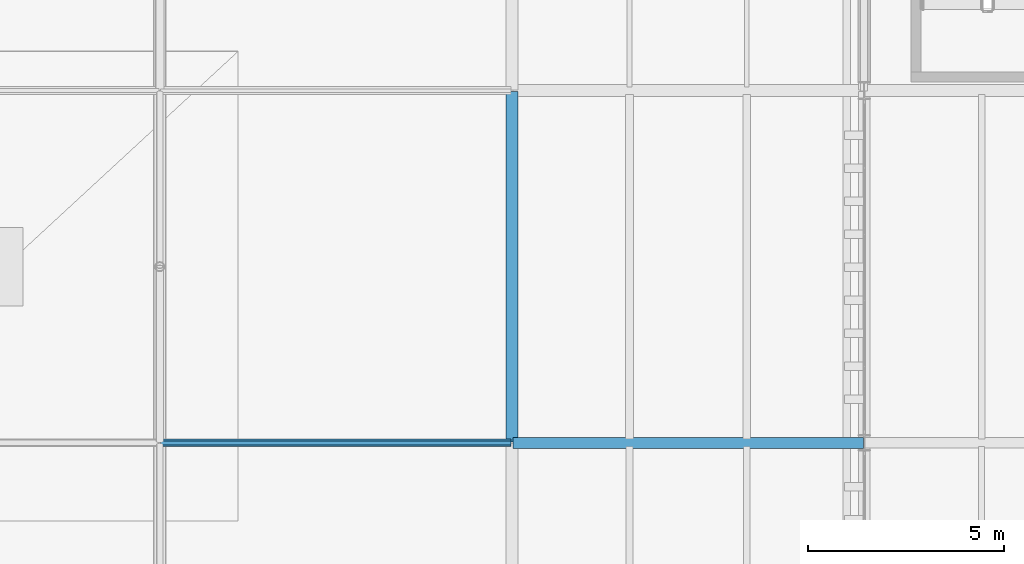
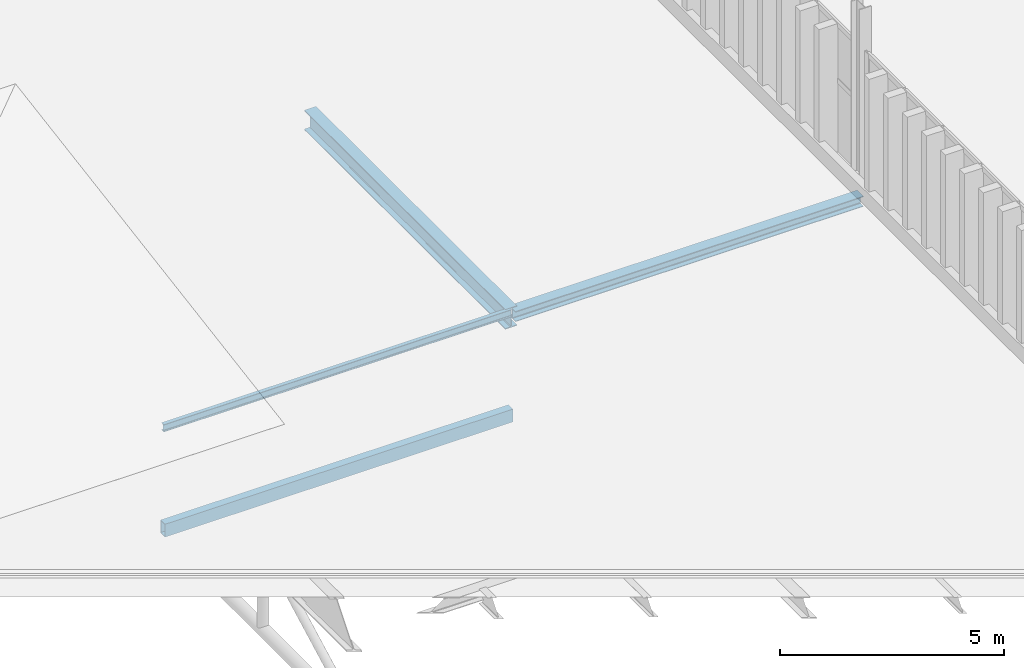
# One storey, part 82 of 196: 2 beams, 2 members.
"""IFC4 building model written with IfcOpenShell, lengths in metres."""

import ifcopenshell
import ifcopenshell.guid

model = None  # the IFC model being written
_history = None  # IfcOwnerHistory: only IFC2X3 demands one
_inside = {}  # id of a spatial element -> (the spatial element, [elements in it])
_under = {}  # id of a project, library or spatial element -> (it, [spatial elements below it])
_declared = {}  # id of a project -> (the project, [libraries it declares])
_typed = {}  # id of a type object -> (the type object, [elements of that type])
_made_of = {}  # id of a material, layer set ... -> (it, [elements and type objects made of it])


def new_model(schema):
    """Start an empty IFC model of exactly this schema.

    Asked for "IFC4X3", IfcOpenShell would pick the latest addendum, in which some entities
    have other attributes; the version numbers below select the first issue.
    IFC2X3 requires an IfcOwnerHistory on every rooted entity: one is made here for all.
    """
    global model, _history
    if schema == "IFC4X3":
        model = ifcopenshell.file(schema_version=(4, 3, 0, 0))
    else:
        model = ifcopenshell.file(schema=schema)
    _inside.clear()
    _under.clear()
    _declared.clear()
    _typed.clear()
    _made_of.clear()
    _history = None
    if model.schema == "IFC2X3":
        org = make("IfcOrganization", Name="unknown")
        user = make(
            "IfcPersonAndOrganization",
            ThePerson=make("IfcPerson", FamilyName="unknown"),
            TheOrganization=org,
        )
        app = make(
            "IfcApplication",
            ApplicationDeveloper=org,
            Version="unknown",
            ApplicationFullName="unknown",
            ApplicationIdentifier="unknown",
        )
        _history = make(
            "IfcOwnerHistory",
            OwningUser=user,
            OwningApplication=app,
            ChangeAction="ADDED",
            CreationDate=0,
        )
    return model


def make(cls, **values):
    """One entity of the class cls with the attributes given. An attribute that is None is left unset."""
    return model.create_entity(
        cls, **{name: value for name, value in values.items() if value is not None}
    )


def rooted(cls, **values):
    """An entity with a GlobalId (a new one), such as an element, a storey or a relation."""
    return make(cls, GlobalId=ifcopenshell.guid.new(), OwnerHistory=_history, **values)


def si_unit(unit_type, name, prefix=None):
    """IfcSIUnit, for example si_unit("LENGTHUNIT", "METRE", prefix="MILLI")."""
    return make("IfcSIUnit", UnitType=unit_type, Prefix=prefix, Name=name)


def assignment(units):
    """IfcUnitAssignment: the units of a project."""
    return None if units is None else make("IfcUnitAssignment", Units=units)


def point(xyz):
    """IfcCartesianPoint."""
    return None if xyz is None else make("IfcCartesianPoint", Coordinates=xyz)


def direction(xyz):
    """IfcDirection."""
    return None if xyz is None else make("IfcDirection", DirectionRatios=xyz)


def frame(location, z_axis=None, x_axis=None):
    """IfcAxis2Placement3D, a coordinate frame: its origin and axes. An axis left out is left unset."""
    return make(
        "IfcAxis2Placement3D",
        Location=point(location),
        Axis=direction(z_axis),
        RefDirection=direction(x_axis),
    )


def frame_2d(location, x_axis=None):
    """IfcAxis2Placement2D, a coordinate frame in the plane: its origin and x axis."""
    return make(
        "IfcAxis2Placement2D", Location=point(location), RefDirection=direction(x_axis)
    )


def origin():
    """The frame at (0, 0, 0) with its axes left unset."""
    return frame((0.0, 0.0, 0.0))


def origin_2d():
    """The frame at (0, 0) in the plane with its x axis left unset."""
    return frame_2d((0.0, 0.0))


def place(relative_to, where):
    """IfcLocalPlacement: puts the frame where relative to a parent placement (None: the world)."""
    return make(
        "IfcLocalPlacement", PlacementRelTo=relative_to, RelativePlacement=where
    )


def context(
    kind, dimensions, precision=None, world=None, true_north=None, identifier=None
):
    """IfcGeometricRepresentationContext, for example the 3D "Model" context."""
    return make(
        "IfcGeometricRepresentationContext",
        ContextIdentifier=identifier,
        ContextType=kind,
        CoordinateSpaceDimension=dimensions,
        Precision=precision,
        WorldCoordinateSystem=world,
        TrueNorth=true_north,
    )


def subcontext(parent, identifier, kind, view, scale=None):
    """IfcGeometricRepresentationSubContext, for example "Body" below "Model"."""
    return make(
        "IfcGeometricRepresentationSubContext",
        ContextIdentifier=identifier,
        ContextType=kind,
        ParentContext=parent,
        TargetScale=scale,
        TargetView=view,
    )


def project(units=None, contexts=None):
    """IfcProject with its units and contexts."""
    return rooted(
        "IfcProject",
        Name="project",
        RepresentationContexts=contexts,
        UnitsInContext=assignment(units),
    )


def spatial(cls, under=None, at=None, **own):
    """A site, building, storey or space (cls), placed at a placement, below another one or the project."""
    s = rooted(cls, ObjectPlacement=at, **own)
    if under is not None:
        _under.setdefault(under.id(), (under, []))[1].append(s)
    return s


def profile(cls, at=None, kind="AREA", **sizes):
    """A parametric profile (cls). Its sizes go by their IFC names, for example OverallWidth=200.0."""
    return make(cls, ProfileType=kind, Position=at, **sizes)


def hollow_rectangle(**sizes):
    """IfcRectangleHollowProfileDef."""
    return profile("IfcRectangleHollowProfileDef", **sizes)


def i_section(**sizes):
    """IfcIShapeProfileDef."""
    return profile("IfcIShapeProfileDef", **sizes)


def extrude(swept, where, along, depth):
    """IfcExtrudedAreaSolid: the profile swept, set in the frame where, extruded along a direction by depth."""
    return make(
        "IfcExtrudedAreaSolid",
        SweptArea=swept,
        Position=where,
        ExtrudedDirection=direction(along),
        Depth=depth,
    )


def shape(context_of_items, identifier, shape_type, items):
    """IfcShapeRepresentation: the items that make up one representation, for example the "Body"."""
    return make(
        "IfcShapeRepresentation",
        ContextOfItems=context_of_items,
        RepresentationIdentifier=identifier,
        RepresentationType=shape_type,
        Items=items,
    )


def material(Name=None, Category=None):
    """IfcMaterial."""
    return make("IfcMaterial", Name=Name, Category=Category)


def material_profile(
    of_material, cross_section, Name=None, Category=None, Priority=None
):
    """IfcMaterialProfile: a cross section and its material."""
    return make(
        "IfcMaterialProfile",
        Name=Name,
        Material=of_material,
        Profile=cross_section,
        Priority=Priority,
        Category=Category,
    )


def profile_set(profiles, Name=None, composite=None):
    """IfcMaterialProfileSet."""
    return make(
        "IfcMaterialProfileSet",
        Name=Name,
        MaterialProfiles=profiles,
        CompositeProfile=composite,
    )


def made_of(thing, what):
    """Note that an element or type object is made of a material, layer set ...; save() writes the relation."""
    if what is not None:
        _made_of.setdefault(what.id(), (what, []))[1].append(thing)
    return thing


def type_object(cls, material=None, **own):
    """A type object (cls), such as IfcWallType, which elements share."""
    return made_of(rooted(cls, **own), material)


def element(
    cls,
    number,
    at=None,
    inside=None,
    cuts=None,
    type_object=None,
    material=None,
    context=None,
    identifier="Body",
    shape_type=None,
    held_by="IfcProductDefinitionShape",
    body=None,
    shapes=None,
    **own,
):
    """One element of the class cls, such as IfcWall. Its Tag is "e" and its number.

    at: its placement. inside: the storey or other place that contains it. cuts: it is an
    opening in that element (IfcRelVoidsElement). A single representation is given by context,
    identifier, shape_type and body (its items); several are given by shapes. held_by: the class
    of the entity that holds the representations. save() writes the other relations.
    """
    e = rooted(cls, Tag="e%d" % number, ObjectPlacement=at, **own)
    if body is not None:
        shapes = [shape(context, identifier, shape_type, body)]
    if shapes is not None:
        e.Representation = make(held_by, Representations=shapes)
    if inside is not None:
        _inside.setdefault(inside.id(), (inside, []))[1].append(e)
    if cuts is not None:
        rooted(
            "IfcRelVoidsElement", RelatingBuildingElement=cuts, RelatedOpeningElement=e
        )
    if type_object is not None:
        _typed.setdefault(type_object.id(), (type_object, []))[1].append(e)
    return made_of(e, material)


def aggregate(whole, parts):
    """IfcRelAggregates: a whole, such as a stair, and the parts it consists of."""
    return rooted("IfcRelAggregates", RelatingObject=whole, RelatedObjects=parts)


def save(model, path):
    """Write the relations noted so far, then the file.

    IfcRelAggregates (storeys below a building ...), IfcRelContainedInSpatialStructure (elements
    in a storey), IfcRelDefinesByType, IfcRelAssociatesMaterial and IfcRelDeclares: one each for
    every whole, place, type object, material and project.
    """
    for whole, parts in _under.values():
        aggregate(whole, parts)
    for where, things in _inside.values():
        rooted(
            "IfcRelContainedInSpatialStructure",
            RelatedElements=things,
            RelatingStructure=where,
        )
    for kind, things in _typed.values():
        rooted("IfcRelDefinesByType", RelatedObjects=things, RelatingType=kind)
    for what, things in _made_of.values():
        rooted("IfcRelAssociatesMaterial", RelatedObjects=things, RelatingMaterial=what)
    for by, libraries in _declared.values():
        rooted("IfcRelDeclares", RelatingContext=by, RelatedDefinitions=libraries)
    model.write(path)


model = new_model("IFC4")

# Units and contexts
model_context = context("Model", 3, precision=1e-05, world=origin(), true_north=direction((0.0, 1.0)))
body_context = subcontext(model_context, "Body", "Model", "MODEL_VIEW")
ifc_project = project(units=[si_unit("LENGTHUNIT", "METRE"), si_unit("AREAUNIT", "SQUARE_METRE"), si_unit("VOLUMEUNIT", "CUBIC_METRE"), si_unit("PLANEANGLEUNIT", "RADIAN"), si_unit("MASSUNIT", "GRAM", prefix="KILO")], contexts=[model_context])

# Site, building, storey
site_placement = place(None, origin())
site = spatial("IfcSite", under=ifc_project, at=site_placement, CompositionType="ELEMENT")
building_placement = place(site_placement, origin())
building = spatial("IfcBuilding", under=site, at=building_placement, Name="Barlavento Convention Centre", CompositionType="ELEMENT")
storey_placement = place(building_placement, frame((0.0, 0.0, 18.0)))
storey = spatial("IfcBuildingStorey", under=building, at=storey_placement, Name="L03", CompositionType="ELEMENT", Elevation=18.0)

# Beams
ifc_material = material(Name="Steel S355", Category="steel")
ifc_material_profile_1 = material_profile(ifc_material, i_section(OverallWidth=0.300048828125, OverallDepth=0.5400390625, WebThickness=0.012451171875, FlangeThickness=0.02392578125, FilletRadius=0.027099609375, at=origin_2d()), Name="HEA 550")
ifc_profile_set_1 = profile_set([ifc_material_profile_1], Name="Steel S355")
beam_type_1 = type_object("IfcBeamType", Name="STR-BM-PRI-HEA550", PredefinedType="BEAM", material=ifc_profile_set_1)
beam_1_placement = place(storey_placement, frame((117.0, 72.02001953125, -0.614990234375), z_axis=(0.0, 1.0, 0.0), x_axis=(-1.0, 0.0, 0.0)))
element("IfcBeam", 1, at=beam_1_placement, inside=storey, type_object=beam_type_1, Name="L03 grid girder BG19", PredefinedType="BEAM", context=body_context, shape_type="SweptSolid", body=[
    extrude(i_section(OverallWidth=0.300048828125, OverallDepth=0.5400390625, WebThickness=0.012451171875, FlangeThickness=0.02392578125, FilletRadius=0.027099609375, at=origin_2d()), origin(), (0.0, 0.0, 1.0), 8.9599609375),
])
ifc_material_profile_2 = material_profile(ifc_material, i_section(OverallWidth=0.280029296875, OverallDepth=0.280029296875, WebThickness=0.010498046875, FlangeThickness=0.01806640625, FilletRadius=0.02392578125, at=origin_2d()), Name="HEB 280")
ifc_profile_set_2 = profile_set([ifc_material_profile_2], Name="Steel S355")
beam_type_2 = type_object("IfcBeamType", Name="STR-BM-PRI-HEB280", PredefinedType="BEAM", material=ifc_profile_set_2)
beam_2_placement = place(storey_placement, frame((117.02001953125, 72.0, -0.5), z_axis=(1.0, 0.0, 0.0), x_axis=(0.0, 1.0, 0.0)))
element("IfcBeam", 2, at=beam_2_placement, inside=storey, type_object=beam_type_2, Name="L03 primary girder BG15", PredefinedType="BEAM", context=body_context, shape_type="SweptSolid", body=[
    extrude(i_section(OverallWidth=0.280029296875, OverallDepth=0.280029296875, WebThickness=0.010498046875, FlangeThickness=0.01806640625, FilletRadius=0.02392578125, at=origin_2d()), origin(), (0.0, 0.0, 1.0), 8.9599609375),
])

# Members
ifc_material_profile_3 = material_profile(ifc_material, hollow_rectangle(XDim=0.199951171875, YDim=0.35009765625, WallThickness=0.012451171875, at=origin_2d()), Name="RHS 350x200x12.5")
ifc_profile_set_3 = profile_set([ifc_material_profile_3], Name="Steel S355")
member_type_1 = type_object("IfcMemberType", Name="STR-MEM-COL-RHS350", PredefinedType="COLLAR", material=ifc_profile_set_3)
member_1_placement = place(storey_placement, frame((108.02001953125, 72.0, -3.199951171875), z_axis=(1.0, 0.0, 0.0), x_axis=(0.0, 1.0, 0.0)))
element("IfcMember", 3, at=member_1_placement, inside=storey, type_object=member_type_1, Name="Exhibition space frame transverse chord", PredefinedType="COLLAR", context=body_context, shape_type="SweptSolid", body=[
    extrude(hollow_rectangle(XDim=0.199951171875, YDim=0.35009765625, WallThickness=0.012451171875, at=origin_2d()), origin(), (0.0, 0.0, 1.0), 8.9599609375),
])
ifc_material_profile_4 = material_profile(ifc_material, i_section(OverallWidth=0.10009765625, OverallDepth=0.199951171875, WebThickness=0.005615234375, FlangeThickness=0.008544921875, FilletRadius=0.011962890625, at=origin_2d()), Name="IPE 200")
ifc_profile_set_4 = profile_set([ifc_material_profile_4], Name="Steel S355")
member_type_2 = type_object("IfcMemberType", Name="STR-MEM-PUR-IPE200", PredefinedType="PURLIN", material=ifc_profile_set_4)
member_2_placement = place(storey_placement, frame((108.02001953125, 72.0, -0.445068359375), z_axis=(1.0, 0.0, 0.0), x_axis=(0.0, 1.0, 0.0)))
element("IfcMember", 4, at=member_2_placement, inside=storey, type_object=member_type_2, Name="Exhibition roof purlin", PredefinedType="PURLIN", context=body_context, shape_type="SweptSolid", body=[
    extrude(i_section(OverallWidth=0.10009765625, OverallDepth=0.199951171875, WebThickness=0.005615234375, FlangeThickness=0.008544921875, FilletRadius=0.011962890625, at=origin_2d()), origin(), (0.0, 0.0, 1.0), 8.9599609375),
])

save(model, "model.ifc")
